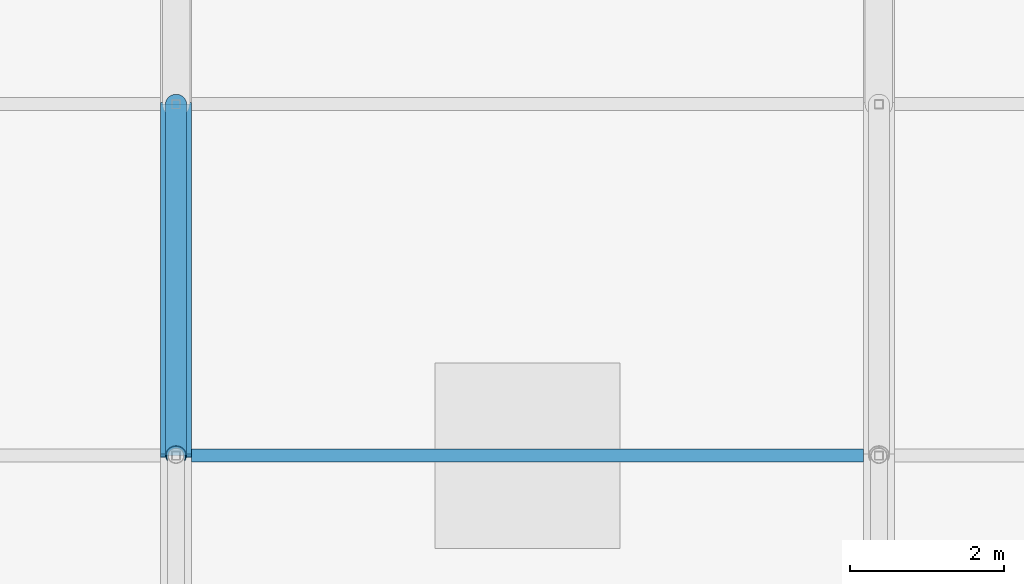
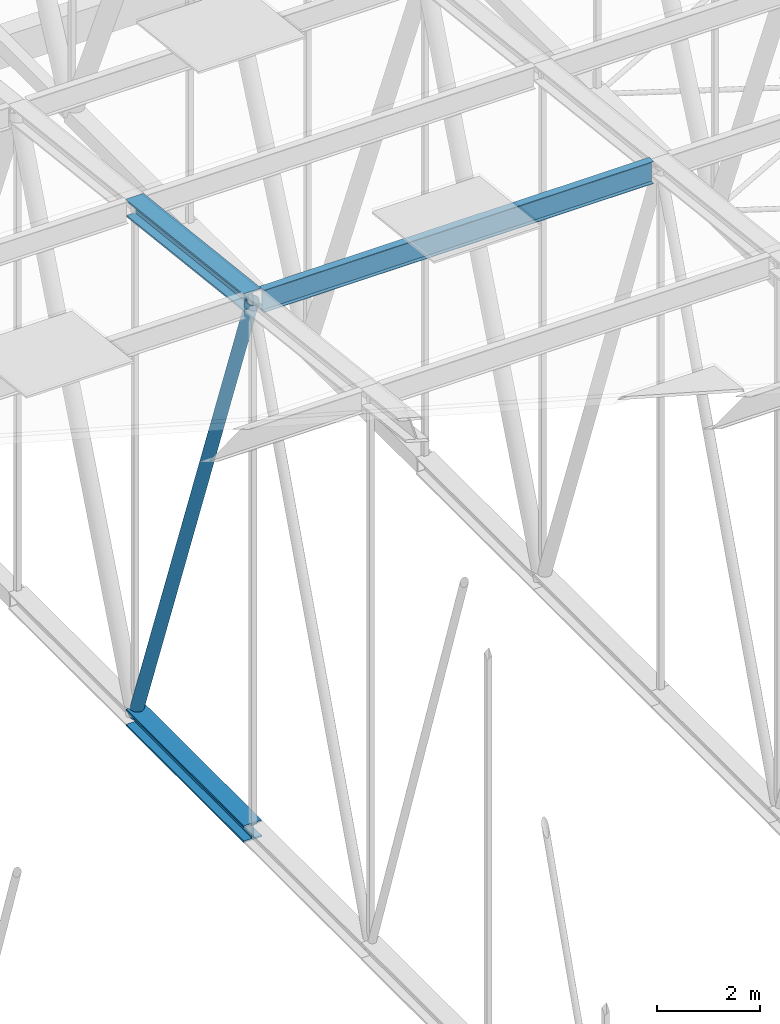
# One storey, part 262 of 500: 4 members.
"""IFC4 building model written with IfcOpenShell, lengths in metres."""

from ifc_helpers import new_model, si_unit, direction, frame, origin, origin_2d, place, context, subcontext, project, spatial, hollow_circle, i_section, extrude, material, material_profile, profile_set, type_object, element, save


model = new_model("IFC4")

# Units and contexts
model_context = context("Model", 3, precision=1e-05, world=origin(), true_north=direction((0.0, 1.0)))
body_context = subcontext(model_context, "Body", "Model", "MODEL_VIEW")
ifc_project = project(units=[si_unit("LENGTHUNIT", "METRE"), si_unit("AREAUNIT", "SQUARE_METRE"), si_unit("VOLUMEUNIT", "CUBIC_METRE"), si_unit("PLANEANGLEUNIT", "RADIAN"), si_unit("MASSUNIT", "GRAM", prefix="KILO")], contexts=[model_context])

# Site, building, storey
site_placement = place(None, origin())
site = spatial("IfcSite", under=ifc_project, at=site_placement, CompositionType="ELEMENT")
building_placement = place(site_placement, origin())
building = spatial("IfcBuilding", under=site, at=building_placement, Name="Shirokan Park Arena", CompositionType="ELEMENT")
storey_placement = place(building_placement, frame((0.0, 0.0, 29.1201171875)))
storey = spatial("IfcBuildingStorey", under=building, at=storey_placement, Name="L06", CompositionType="ELEMENT", Elevation=29.1201171875)

# Members
ifc_material_1 = material(Name="Steel ASTM A992", Category="steel")
ifc_material_profile_1 = material_profile(ifc_material_1, i_section(OverallWidth=0.40087890625, OverallDepth=0.39892578125, WebThickness=0.02490234375, FlangeThickness=0.03955078125, at=origin_2d()), Name="W360X314")
ifc_profile_set_1 = profile_set([ifc_material_profile_1], Name="Steel ASTM A992")
member_type_1 = type_object("IfcMemberType", Name="Bottom chord W360X314", PredefinedType="CHORD", material=ifc_profile_set_1)
member_1_placement = place(storey_placement, frame((72.800048828125, 68.25, 4.677001953125), z_axis=(0.0, 1.0, 0.0), x_axis=(-1.0, 0.0, 0.0)))
element("IfcMember", 1, at=member_1_placement, inside=storey, type_object=member_type_1, Name="Truss T09 bottom chord 18", PredefinedType="CHORD", context=body_context, shape_type="SweptSolid", body=[
    extrude(i_section(OverallWidth=0.40087890625, OverallDepth=0.39892578125, WebThickness=0.02490234375, FlangeThickness=0.03955078125, at=origin_2d()), origin(), (0.0, 0.0, 1.0), 4.550048828125),
])
ifc_material_profile_2 = material_profile(ifc_material_1, i_section(OverallWidth=0.166015625, OverallDepth=0.528076171875, WebThickness=0.009765625, FlangeThickness=0.013671875, at=origin_2d()), Name="W530X74")
ifc_profile_set_2 = profile_set([ifc_material_profile_2], Name="Steel ASTM A992")
member_type_2 = type_object("IfcMemberType", Name="Purlin W530X74", PredefinedType="PURLIN", material=ifc_profile_set_2)
member_2_placement = place(storey_placement, frame((73.00048828125, 68.25, 17.165771484375), z_axis=(1.0, 0.0, 0.0), x_axis=(0.0, 1.0, 0.0)))
element("IfcMember", 2, at=member_2_placement, inside=storey, type_object=member_type_2, Name="Purlin 18 bay 9", PredefinedType="PURLIN", context=body_context, shape_type="SweptSolid", body=[
    extrude(i_section(OverallWidth=0.166015625, OverallDepth=0.528076171875, WebThickness=0.009765625, FlangeThickness=0.013671875, at=origin_2d()), origin(), (0.0, 0.0, 1.0), 8.698974609375),
])
ifc_material_profile_3 = material_profile(ifc_material_1, i_section(OverallWidth=0.40087890625, OverallDepth=0.39892578125, WebThickness=0.02490234375, FlangeThickness=0.03955078125, at=origin_2d()), Name="W360X314")
ifc_profile_set_3 = profile_set([ifc_material_profile_3], Name="Steel ASTM A992")
member_type_3 = type_object("IfcMemberType", Name="Top chord W360X314", PredefinedType="CHORD", material=ifc_profile_set_3)
member_3_placement = place(storey_placement, frame((72.800048828125, 68.25, 17.221435546875), z_axis=(0.0, 0.993532328996, -0.113549598152), x_axis=(-1.0, 0.0, 0.0)))
element("IfcMember", 3, at=member_3_placement, inside=storey, type_object=member_type_3, Name="Truss T09 top chord 18", PredefinedType="CHORD", context=body_context, shape_type="SweptSolid", body=[
    extrude(i_section(OverallWidth=0.40087890625, OverallDepth=0.39892578125, WebThickness=0.02490234375, FlangeThickness=0.03955078125, at=origin_2d()), origin(), (0.0, 0.0, 1.0), 4.57958984375),
])
ifc_material_2 = material(Name="Steel ASTM A500 Grade C", Category="steel")
ifc_material_profile_4 = material_profile(ifc_material_2, hollow_circle(Radius=0.136474609375, WallThickness=0.009521484375, at=origin_2d()), Name="HSS273.1X9.5")
ifc_profile_set_4 = profile_set([ifc_material_profile_4], Name="Steel ASTM A500 Grade C")
member_type_4 = type_object("IfcMemberType", Name="Truss diagonal HSS273.1X9.5", PredefinedType="BRACE", material=ifc_profile_set_4)
member_4_placement = place(storey_placement, frame((72.800048828125, 68.25, 17.221435546875), z_axis=(0.0, 0.340977600467, -0.94007142068), x_axis=(-1.0, 0.0, 0.0)))
element("IfcMember", 4, at=member_4_placement, inside=storey, type_object=member_type_4, Name="Truss T09 diagonal 18", PredefinedType="BRACE", context=body_context, shape_type="SweptSolid", body=[
    extrude(hollow_circle(Radius=0.136474609375, WallThickness=0.009521484375, at=origin_2d()), origin(), (0.0, 0.0, 1.0), 13.34423828125),
])

save(model, "model.ifc")
